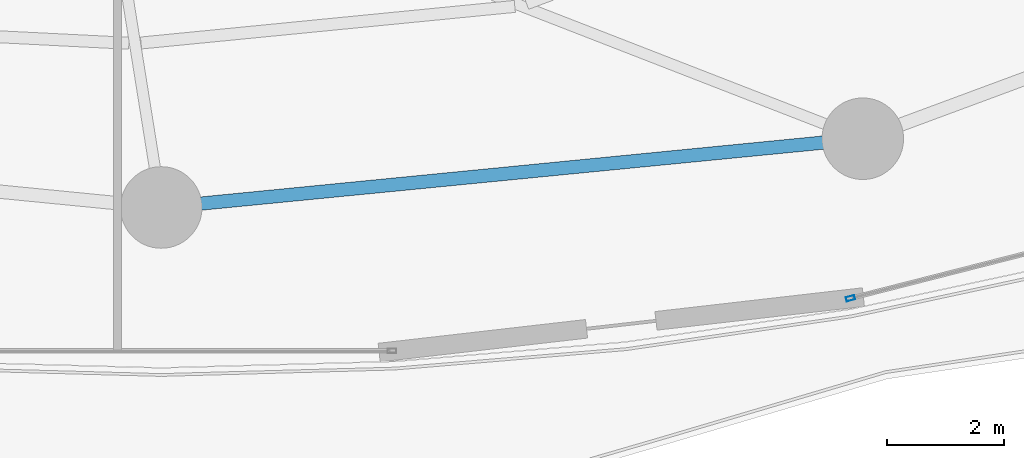
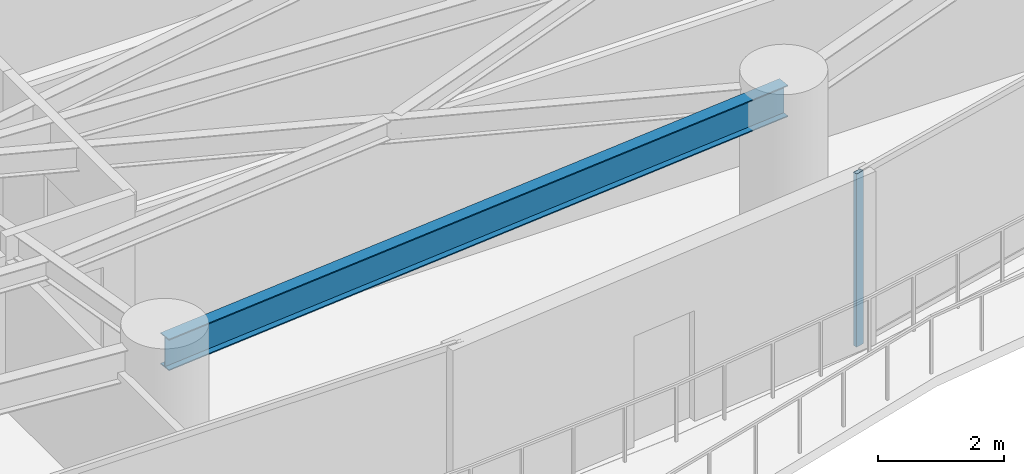
# One storey, part 11 of 33: 1 beam, 1 member, 1 element without a shape of its own.
"""IFC4 building model written with IfcOpenShell, lengths in metres."""

from ifc_helpers import new_model, si_unit, direction, frame, origin, origin_2d, place, context, subcontext, project, spatial, hollow_rectangle, i_section, extrude, material, layer, layer_set, material_profile, profile_set, type_object, element, aggregate, save


model = new_model("IFC4")

# Units and contexts
model_context = context("Model", 3, precision=1e-05, world=origin(), true_north=direction((0.0, 1.0)))
body_context = subcontext(model_context, "Body", "Model", "MODEL_VIEW")
ifc_project = project(units=[si_unit("LENGTHUNIT", "METRE"), si_unit("AREAUNIT", "SQUARE_METRE"), si_unit("VOLUMEUNIT", "CUBIC_METRE"), si_unit("PLANEANGLEUNIT", "RADIAN"), si_unit("MASSUNIT", "GRAM", prefix="KILO")], contexts=[model_context])

# Site, building, storey
site_placement = place(None, origin())
site = spatial("IfcSite", under=ifc_project, at=site_placement, CompositionType="ELEMENT")
building_placement = place(site_placement, origin())
building = spatial("IfcBuilding", under=site, at=building_placement, Name="Kazevale Care Tower and Concert Hall", CompositionType="ELEMENT")
storey_placement = place(building_placement, frame((0.0, 0.0, 52.800048828125)))
storey = spatial("IfcBuildingStorey", under=building, at=storey_placement, Name="L13", CompositionType="ELEMENT", Elevation=52.800048828125)

# Curtain wall, member
ifc_material_1 = material(Name="Aluminium 6063-T6 and Low-E Glass", Category="aluminium")
ifc_layer = layer(ifc_material_1, 0.179931640625)
ifc_layer_set = layer_set([ifc_layer], Name="Aluminium 6063-T6 and Low-E Glass")
curtain_wall_type = type_object("IfcCurtainWallType", Name="Sheltered Concave Balcony Curtain Wall CW-5", PredefinedType="NOTDEFINED", material=ifc_layer_set)
curtain_wall_placement = place(storey_placement, origin())
curtain_wall = element("IfcCurtainWall", 1, at=curtain_wall_placement, inside=storey, type_object=curtain_wall_type, Name="cw:L13:f04", PredefinedType="NOTDEFINED")
ifc_material_2 = material(Name="Aluminium 6063-T6", Category="aluminium")
ifc_material_profile_1 = material_profile(ifc_material_2, hollow_rectangle(XDim=0.074951171875, YDim=0.14990234375, WallThickness=0.00390625, at=origin_2d()), Name="ALU75x150x4")
ifc_profile_set_1 = profile_set([ifc_material_profile_1], Name="Aluminium 6063-T6")
member_type = type_object("IfcMemberType", Name="CW-5 Mullion ALU75x150x4", PredefinedType="MULLION", material=ifc_profile_set_1)
member_placement = place(storey_placement, frame((56.828369140625, 15.791259765625, 0.0), z_axis=(0.0, 0.0, 1.0), x_axis=(0.247221864936, -0.968958899798, 0.0)))
member = element("IfcMember", 2, at=member_placement, type_object=member_type, Name="CW-5 mullion 2", PredefinedType="MULLION", context=body_context, shape_type="SweptSolid", body=[
    extrude(hollow_rectangle(XDim=0.074951171875, YDim=0.14990234375, WallThickness=0.00390625, at=origin_2d()), origin(), (0.0, 0.0, 1.0), 3.35986328125),
])
aggregate(curtain_wall, [member])

# Beam
ifc_material_3 = material(Name="Steel ASTM A572 Gr 50", Category="steel")
ifc_material_profile_2 = material_profile(ifc_material_3, i_section(OverallWidth=0.22900390625, OverallDepth=0.612060546875, WebThickness=0.011962890625, FlangeThickness=0.01953125, at=origin_2d()), Name="W610x125")
ifc_profile_set_2 = profile_set([ifc_material_profile_2], Name="Steel ASTM A572 Gr 50")
beam_type = type_object("IfcBeamType", Name="Ring Spandrel Beam W610x125", PredefinedType="SPANDREL", material=ifc_profile_set_2)
beam_placement = place(storey_placement, frame((45.0, 17.35009765625, 3.053955078125), z_axis=(0.995232251602, 0.09753340644, 0.0), x_axis=(-0.09753340644, 0.995232251602, 0.0)))
element("IfcBeam", 3, at=beam_placement, inside=storey, type_object=beam_type, Name="beam:L13:ring:13", PredefinedType="SPANDREL", context=body_context, shape_type="SweptSolid", body=[
    extrude(i_section(OverallWidth=0.22900390625, OverallDepth=0.612060546875, WebThickness=0.011962890625, FlangeThickness=0.01953125, at=origin_2d()), origin(), (0.0, 0.0, 1.0), 12.09765625),
])

save(model, "model.ifc")
